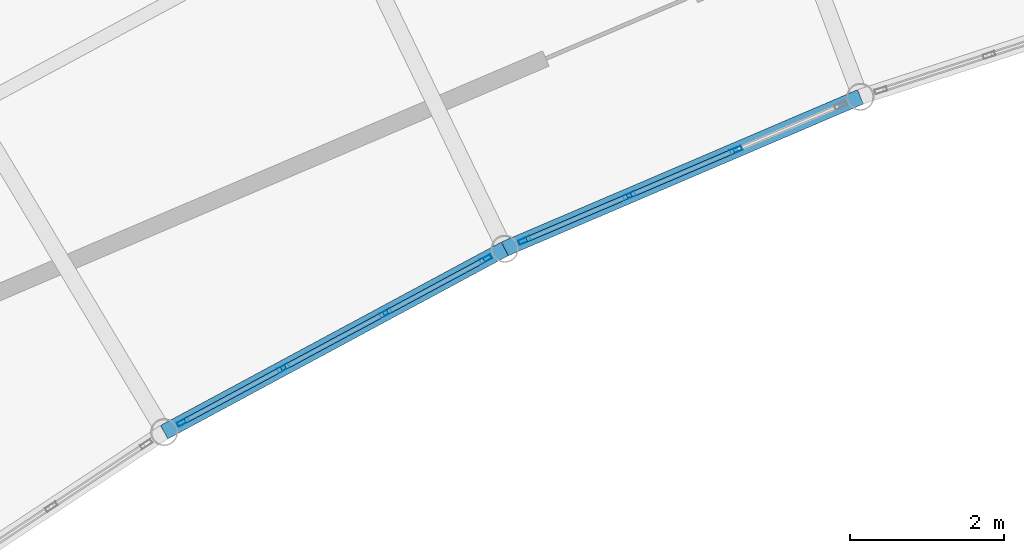
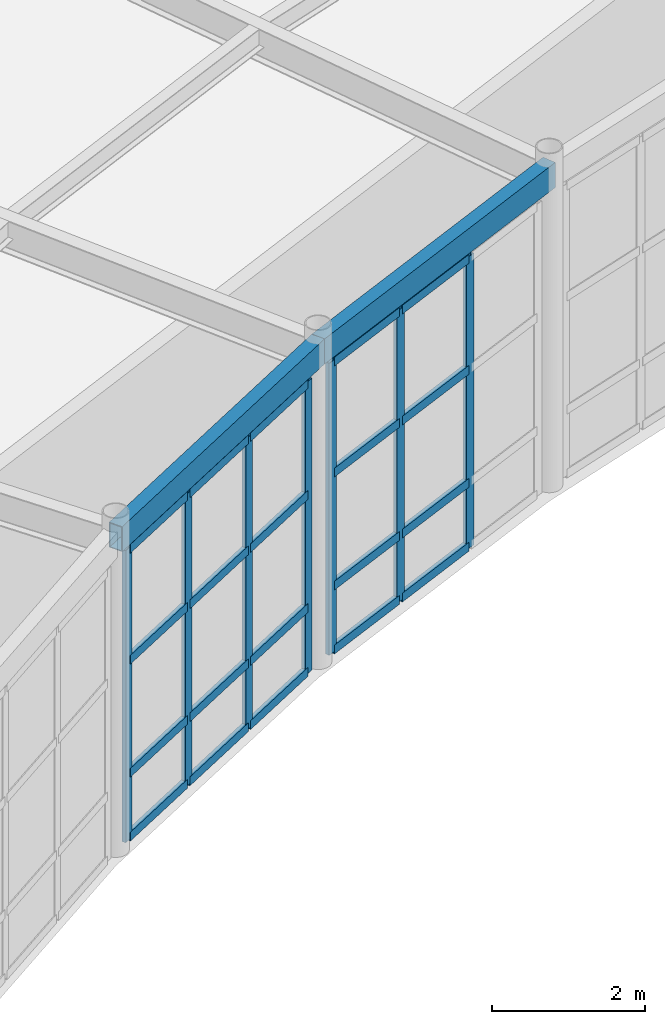
# One storey, part 44 of 87: 27 members, 2 beams, 2 elements without a shape of their own.
"""IFC4 building model written with IfcOpenShell, lengths in metres."""

import ifcopenshell
import ifcopenshell.guid

model = None  # the IFC model being written
_history = None  # IfcOwnerHistory: only IFC2X3 demands one
_inside = {}  # id of a spatial element -> (the spatial element, [elements in it])
_under = {}  # id of a project, library or spatial element -> (it, [spatial elements below it])
_declared = {}  # id of a project -> (the project, [libraries it declares])
_typed = {}  # id of a type object -> (the type object, [elements of that type])
_made_of = {}  # id of a material, layer set ... -> (it, [elements and type objects made of it])


def new_model(schema):
    """Start an empty IFC model of exactly this schema.

    Asked for "IFC4X3", IfcOpenShell would pick the latest addendum, in which some entities
    have other attributes; the version numbers below select the first issue.
    IFC2X3 requires an IfcOwnerHistory on every rooted entity: one is made here for all.
    """
    global model, _history
    if schema == "IFC4X3":
        model = ifcopenshell.file(schema_version=(4, 3, 0, 0))
    else:
        model = ifcopenshell.file(schema=schema)
    _inside.clear()
    _under.clear()
    _declared.clear()
    _typed.clear()
    _made_of.clear()
    _history = None
    if model.schema == "IFC2X3":
        org = make("IfcOrganization", Name="unknown")
        user = make(
            "IfcPersonAndOrganization",
            ThePerson=make("IfcPerson", FamilyName="unknown"),
            TheOrganization=org,
        )
        app = make(
            "IfcApplication",
            ApplicationDeveloper=org,
            Version="unknown",
            ApplicationFullName="unknown",
            ApplicationIdentifier="unknown",
        )
        _history = make(
            "IfcOwnerHistory",
            OwningUser=user,
            OwningApplication=app,
            ChangeAction="ADDED",
            CreationDate=0,
        )
    return model


def make(cls, **values):
    """One entity of the class cls with the attributes given. An attribute that is None is left unset."""
    return model.create_entity(
        cls, **{name: value for name, value in values.items() if value is not None}
    )


def rooted(cls, **values):
    """An entity with a GlobalId (a new one), such as an element, a storey or a relation."""
    return make(cls, GlobalId=ifcopenshell.guid.new(), OwnerHistory=_history, **values)


def si_unit(unit_type, name, prefix=None):
    """IfcSIUnit, for example si_unit("LENGTHUNIT", "METRE", prefix="MILLI")."""
    return make("IfcSIUnit", UnitType=unit_type, Prefix=prefix, Name=name)


def assignment(units):
    """IfcUnitAssignment: the units of a project."""
    return None if units is None else make("IfcUnitAssignment", Units=units)


def point(xyz):
    """IfcCartesianPoint."""
    return None if xyz is None else make("IfcCartesianPoint", Coordinates=xyz)


def direction(xyz):
    """IfcDirection."""
    return None if xyz is None else make("IfcDirection", DirectionRatios=xyz)


def frame(location, z_axis=None, x_axis=None):
    """IfcAxis2Placement3D, a coordinate frame: its origin and axes. An axis left out is left unset."""
    return make(
        "IfcAxis2Placement3D",
        Location=point(location),
        Axis=direction(z_axis),
        RefDirection=direction(x_axis),
    )


def frame_2d(location, x_axis=None):
    """IfcAxis2Placement2D, a coordinate frame in the plane: its origin and x axis."""
    return make(
        "IfcAxis2Placement2D", Location=point(location), RefDirection=direction(x_axis)
    )


def origin():
    """The frame at (0, 0, 0) with its axes left unset."""
    return frame((0.0, 0.0, 0.0))


def origin_2d():
    """The frame at (0, 0) in the plane with its x axis left unset."""
    return frame_2d((0.0, 0.0))


def place(relative_to, where):
    """IfcLocalPlacement: puts the frame where relative to a parent placement (None: the world)."""
    return make(
        "IfcLocalPlacement", PlacementRelTo=relative_to, RelativePlacement=where
    )


def context(
    kind, dimensions, precision=None, world=None, true_north=None, identifier=None
):
    """IfcGeometricRepresentationContext, for example the 3D "Model" context."""
    return make(
        "IfcGeometricRepresentationContext",
        ContextIdentifier=identifier,
        ContextType=kind,
        CoordinateSpaceDimension=dimensions,
        Precision=precision,
        WorldCoordinateSystem=world,
        TrueNorth=true_north,
    )


def subcontext(parent, identifier, kind, view, scale=None):
    """IfcGeometricRepresentationSubContext, for example "Body" below "Model"."""
    return make(
        "IfcGeometricRepresentationSubContext",
        ContextIdentifier=identifier,
        ContextType=kind,
        ParentContext=parent,
        TargetScale=scale,
        TargetView=view,
    )


def project(units=None, contexts=None):
    """IfcProject with its units and contexts."""
    return rooted(
        "IfcProject",
        Name="project",
        RepresentationContexts=contexts,
        UnitsInContext=assignment(units),
    )


def spatial(cls, under=None, at=None, **own):
    """A site, building, storey or space (cls), placed at a placement, below another one or the project."""
    s = rooted(cls, ObjectPlacement=at, **own)
    if under is not None:
        _under.setdefault(under.id(), (under, []))[1].append(s)
    return s


def profile(cls, at=None, kind="AREA", **sizes):
    """A parametric profile (cls). Its sizes go by their IFC names, for example OverallWidth=200.0."""
    return make(cls, ProfileType=kind, Position=at, **sizes)


def hollow_rectangle(**sizes):
    """IfcRectangleHollowProfileDef."""
    return profile("IfcRectangleHollowProfileDef", **sizes)


def extrude(swept, where, along, depth):
    """IfcExtrudedAreaSolid: the profile swept, set in the frame where, extruded along a direction by depth."""
    return make(
        "IfcExtrudedAreaSolid",
        SweptArea=swept,
        Position=where,
        ExtrudedDirection=direction(along),
        Depth=depth,
    )


def shape(context_of_items, identifier, shape_type, items):
    """IfcShapeRepresentation: the items that make up one representation, for example the "Body"."""
    return make(
        "IfcShapeRepresentation",
        ContextOfItems=context_of_items,
        RepresentationIdentifier=identifier,
        RepresentationType=shape_type,
        Items=items,
    )


def material(Name=None, Category=None):
    """IfcMaterial."""
    return make("IfcMaterial", Name=Name, Category=Category)


def layer(
    of_material, thickness, ventilated=None, Name=None, Category=None, Priority=None
):
    """IfcMaterialLayer: one layer of a wall or slab, of a material (None: an air gap)."""
    return make(
        "IfcMaterialLayer",
        Material=of_material,
        LayerThickness=thickness,
        IsVentilated=ventilated,
        Name=Name,
        Category=Category,
        Priority=Priority,
    )


def layer_set(layers, Name=None):
    """IfcMaterialLayerSet."""
    return make("IfcMaterialLayerSet", MaterialLayers=layers, LayerSetName=Name)


def material_profile(
    of_material, cross_section, Name=None, Category=None, Priority=None
):
    """IfcMaterialProfile: a cross section and its material."""
    return make(
        "IfcMaterialProfile",
        Name=Name,
        Material=of_material,
        Profile=cross_section,
        Priority=Priority,
        Category=Category,
    )


def profile_set(profiles, Name=None, composite=None):
    """IfcMaterialProfileSet."""
    return make(
        "IfcMaterialProfileSet",
        Name=Name,
        MaterialProfiles=profiles,
        CompositeProfile=composite,
    )


def made_of(thing, what):
    """Note that an element or type object is made of a material, layer set ...; save() writes the relation."""
    if what is not None:
        _made_of.setdefault(what.id(), (what, []))[1].append(thing)
    return thing


def type_object(cls, material=None, **own):
    """A type object (cls), such as IfcWallType, which elements share."""
    return made_of(rooted(cls, **own), material)


def element(
    cls,
    number,
    at=None,
    inside=None,
    cuts=None,
    type_object=None,
    material=None,
    context=None,
    identifier="Body",
    shape_type=None,
    held_by="IfcProductDefinitionShape",
    body=None,
    shapes=None,
    **own,
):
    """One element of the class cls, such as IfcWall. Its Tag is "e" and its number.

    at: its placement. inside: the storey or other place that contains it. cuts: it is an
    opening in that element (IfcRelVoidsElement). A single representation is given by context,
    identifier, shape_type and body (its items); several are given by shapes. held_by: the class
    of the entity that holds the representations. save() writes the other relations.
    """
    e = rooted(cls, Tag="e%d" % number, ObjectPlacement=at, **own)
    if body is not None:
        shapes = [shape(context, identifier, shape_type, body)]
    if shapes is not None:
        e.Representation = make(held_by, Representations=shapes)
    if inside is not None:
        _inside.setdefault(inside.id(), (inside, []))[1].append(e)
    if cuts is not None:
        rooted(
            "IfcRelVoidsElement", RelatingBuildingElement=cuts, RelatedOpeningElement=e
        )
    if type_object is not None:
        _typed.setdefault(type_object.id(), (type_object, []))[1].append(e)
    return made_of(e, material)


def aggregate(whole, parts):
    """IfcRelAggregates: a whole, such as a stair, and the parts it consists of."""
    return rooted("IfcRelAggregates", RelatingObject=whole, RelatedObjects=parts)


def save(model, path):
    """Write the relations noted so far, then the file.

    IfcRelAggregates (storeys below a building ...), IfcRelContainedInSpatialStructure (elements
    in a storey), IfcRelDefinesByType, IfcRelAssociatesMaterial and IfcRelDeclares: one each for
    every whole, place, type object, material and project.
    """
    for whole, parts in _under.values():
        aggregate(whole, parts)
    for where, things in _inside.values():
        rooted(
            "IfcRelContainedInSpatialStructure",
            RelatedElements=things,
            RelatingStructure=where,
        )
    for kind, things in _typed.values():
        rooted("IfcRelDefinesByType", RelatedObjects=things, RelatingType=kind)
    for what, things in _made_of.values():
        rooted("IfcRelAssociatesMaterial", RelatedObjects=things, RelatingMaterial=what)
    for by, libraries in _declared.values():
        rooted("IfcRelDeclares", RelatingContext=by, RelatedDefinitions=libraries)
    model.write(path)


model = new_model("IFC4")

# Units and contexts
model_context = context("Model", 3, precision=1e-05, world=origin(), true_north=direction((0.0, 1.0)))
body_context = subcontext(model_context, "Body", "Model", "MODEL_VIEW")
ifc_project = project(units=[si_unit("LENGTHUNIT", "METRE"), si_unit("AREAUNIT", "SQUARE_METRE"), si_unit("VOLUMEUNIT", "CUBIC_METRE"), si_unit("PLANEANGLEUNIT", "RADIAN"), si_unit("MASSUNIT", "GRAM", prefix="KILO")], contexts=[model_context])

# Site, building, storey
site_placement = place(None, origin())
site = spatial("IfcSite", under=ifc_project, at=site_placement, CompositionType="ELEMENT")
building_placement = place(site_placement, origin())
building = spatial("IfcBuilding", under=site, at=building_placement, Name="Selat Folded Stagehouse", CompositionType="ELEMENT")
storey_placement = place(building_placement, origin())
storey = spatial("IfcBuildingStorey", under=building, at=storey_placement, Name="L00", CompositionType="ELEMENT", Elevation=0.0)

# Curtain wall, members
ifc_material_1 = material(Name="Aluminium 6063-T6", Category="aluminium")
ifc_layer = layer(ifc_material_1, 0.18994140625)
ifc_layer_set = layer_set([ifc_layer], Name="Aluminium 6063-T6")
curtain_wall_type = type_object("IfcCurtainWallType", Name="CW-REH-ARC", PredefinedType="NOTDEFINED", material=ifc_layer_set)
curtain_wall_1_placement = place(storey_placement, origin())
curtain_wall_1 = element("IfcCurtainWall", 1, at=curtain_wall_1_placement, inside=storey, type_object=curtain_wall_type, Name="L00 curtain wall CW-REH-L00-01", PredefinedType="NOTDEFINED")
ifc_material_profile_1 = material_profile(ifc_material_1, hollow_rectangle(XDim=0.06005859375, YDim=0.159912109375, WallThickness=0.00390625, at=origin_2d()), Name="ALU 160x60x4.0")
ifc_profile_set_1 = profile_set([ifc_material_profile_1], Name="Aluminium 6063-T6")
member_type_1 = type_object("IfcMemberType", Name="CWM-MUL-160x60", PredefinedType="MULLION", material=ifc_profile_set_1)
member_1_placement = place(storey_placement, frame((67.85595703125, 88.321533203125, 0.0), z_axis=(0.0, 0.0, 1.0), x_axis=(0.473858636259, -0.880600927119, 0.0)))
member_1 = element("IfcMember", 2, at=member_1_placement, type_object=member_type_1, Name="CW-06 mullion 1", PredefinedType="MULLION", context=body_context, shape_type="SweptSolid", body=[
    extrude(hollow_rectangle(XDim=0.06005859375, YDim=0.159912109375, WallThickness=0.00390625, at=origin_2d()), origin(), (0.0, 0.0, 1.0), 4.64990234375),
])
member_2_placement = place(storey_placement, frame((66.55419921875, 87.62109375, 0.0), z_axis=(0.0, 0.0, 1.0), x_axis=(0.473858636259, -0.880600927119, 0.0)))
member_2 = element("IfcMember", 3, at=member_2_placement, type_object=member_type_1, Name="CW-06 mullion 2", PredefinedType="MULLION", context=body_context, shape_type="SweptSolid", body=[
    extrude(hollow_rectangle(XDim=0.06005859375, YDim=0.159912109375, WallThickness=0.00390625, at=origin_2d()), origin(), (0.0, 0.0, 1.0), 4.64990234375),
])
member_3_placement = place(storey_placement, frame((65.225830078125, 86.90625, 0.0), z_axis=(0.0, 0.0, 1.0), x_axis=(0.473858636259, -0.880600927119, 0.0)))
member_3 = element("IfcMember", 4, at=member_3_placement, type_object=member_type_1, Name="CW-06 mullion 3", PredefinedType="MULLION", context=body_context, shape_type="SweptSolid", body=[
    extrude(hollow_rectangle(XDim=0.06005859375, YDim=0.159912109375, WallThickness=0.00390625, at=origin_2d()), origin(), (0.0, 0.0, 1.0), 4.64990234375),
])
member_4_placement = place(storey_placement, frame((63.924072265625, 86.205810546875, 0.0), z_axis=(0.0, 0.0, 1.0), x_axis=(0.473858636259, -0.880600927119, 0.0)))
member_4 = element("IfcMember", 5, at=member_4_placement, type_object=member_type_1, Name="CW-06 mullion 4", PredefinedType="MULLION", context=body_context, shape_type="SweptSolid", body=[
    extrude(hollow_rectangle(XDim=0.06005859375, YDim=0.159912109375, WallThickness=0.00390625, at=origin_2d()), origin(), (0.0, 0.0, 1.0), 4.64990234375),
])

curtain_wall_2_placement = place(storey_placement, origin())
curtain_wall_2 = element("IfcCurtainWall", 6, at=curtain_wall_2_placement, inside=storey, type_object=curtain_wall_type, Name="L00 curtain wall CW-REH-L00-02", PredefinedType="NOTDEFINED")
member_5_placement = place(storey_placement, frame((71.106201171875, 89.738037109375, 0.0), z_axis=(0.0, 0.0, 1.0), x_axis=(0.393012226483, -0.919533245639, 0.0)))
member_5 = element("IfcMember", 7, at=member_5_placement, type_object=member_type_1, Name="CW-06 mullion 2", PredefinedType="MULLION", context=body_context, shape_type="SweptSolid", body=[
    extrude(hollow_rectangle(XDim=0.06005859375, YDim=0.159912109375, WallThickness=0.00390625, at=origin_2d()), origin(), (0.0, 0.0, 1.0), 4.64990234375),
])
member_6_placement = place(storey_placement, frame((69.71923828125, 89.145263671875, 0.0), z_axis=(0.0, 0.0, 1.0), x_axis=(0.393012226483, -0.919533245639, 0.0)))
member_6 = element("IfcMember", 8, at=member_6_placement, type_object=member_type_1, Name="CW-06 mullion 3", PredefinedType="MULLION", context=body_context, shape_type="SweptSolid", body=[
    extrude(hollow_rectangle(XDim=0.06005859375, YDim=0.159912109375, WallThickness=0.00390625, at=origin_2d()), origin(), (0.0, 0.0, 1.0), 4.64990234375),
])
member_7_placement = place(storey_placement, frame((68.360107421875, 88.564453125, 0.0), z_axis=(0.0, 0.0, 1.0), x_axis=(0.393012226483, -0.919533245639, 0.0)))
member_7 = element("IfcMember", 9, at=member_7_placement, type_object=member_type_1, Name="CW-06 mullion 4", PredefinedType="MULLION", context=body_context, shape_type="SweptSolid", body=[
    extrude(hollow_rectangle(XDim=0.06005859375, YDim=0.159912109375, WallThickness=0.00390625, at=origin_2d()), origin(), (0.0, 0.0, 1.0), 4.64990234375),
])

# Member
ifc_material_profile_2 = material_profile(ifc_material_1, hollow_rectangle(XDim=0.06494140625, YDim=0.139892578125, WallThickness=0.00390625, at=origin_2d()), Name="ALU 140x65x4.0")
ifc_profile_set_2 = profile_set([ifc_material_profile_2], Name="Aluminium 6063-T6")
member_type_2 = type_object("IfcMemberType", Name="CWM-TRN-140x65", PredefinedType="USERDEFINED", material=ifc_profile_set_2)
member_8_placement = place(storey_placement, frame((67.82958984375, 88.307373046875, 0.032470703125), z_axis=(-0.880598189077, -0.473863724497, 0.0), x_axis=(0.473863724497, -0.880598189077, 0.0)))
member_8 = element("IfcMember", 10, at=member_8_placement, type_object=member_type_2, Name="CW-06 transom 1.1", ObjectType="TRANSOM", PredefinedType="USERDEFINED", context=body_context, shape_type="SweptSolid", body=[
    extrude(hollow_rectangle(XDim=0.06494140625, YDim=0.139892578125, WallThickness=0.00390625, at=origin_2d()), origin(), (0.0, 0.0, 1.0), 1.41845703125),
])

member_9_placement = place(storey_placement, frame((67.82958984375, 88.307373046875, 1.050048828125), z_axis=(-0.880598189077, -0.473863724497, 0.0), x_axis=(0.473863724497, -0.880598189077, 0.0)))
member_9 = element("IfcMember", 11, at=member_9_placement, type_object=member_type_2, Name="CW-06 transom 1.2", ObjectType="TRANSOM", PredefinedType="USERDEFINED", context=body_context, shape_type="SweptSolid", body=[
    extrude(hollow_rectangle(XDim=0.06494140625, YDim=0.139892578125, WallThickness=0.00390625, at=origin_2d()), origin(), (0.0, 0.0, 1.0), 1.41845703125),
])

member_10_placement = place(storey_placement, frame((67.82958984375, 88.307373046875, 2.85009765625), z_axis=(-0.880598189077, -0.473863724497, 0.0), x_axis=(0.473863724497, -0.880598189077, 0.0)))
member_10 = element("IfcMember", 12, at=member_10_placement, type_object=member_type_2, Name="CW-06 transom 1.3", ObjectType="TRANSOM", PredefinedType="USERDEFINED", context=body_context, shape_type="SweptSolid", body=[
    extrude(hollow_rectangle(XDim=0.06494140625, YDim=0.139892578125, WallThickness=0.00390625, at=origin_2d()), origin(), (0.0, 0.0, 1.0), 1.41845703125),
])

member_11_placement = place(storey_placement, frame((67.82958984375, 88.307373046875, 4.617431640625), z_axis=(-0.880598189077, -0.473863724497, 0.0), x_axis=(0.473863724497, -0.880598189077, 0.0)))
member_11 = element("IfcMember", 13, at=member_11_placement, type_object=member_type_2, Name="CW-06 transom 1.4", ObjectType="TRANSOM", PredefinedType="USERDEFINED", context=body_context, shape_type="SweptSolid", body=[
    extrude(hollow_rectangle(XDim=0.06494140625, YDim=0.139892578125, WallThickness=0.00390625, at=origin_2d()), origin(), (0.0, 0.0, 1.0), 1.41845703125),
])

member_12_placement = place(storey_placement, frame((66.52783203125, 87.60693359375, 0.032470703125), z_axis=(-0.880606383505, -0.473848496178, 0.0), x_axis=(0.473848496178, -0.880606383505, 0.0)))
member_12 = element("IfcMember", 14, at=member_12_placement, type_object=member_type_2, Name="CW-06 transom 2.1", ObjectType="TRANSOM", PredefinedType="USERDEFINED", context=body_context, shape_type="SweptSolid", body=[
    extrude(hollow_rectangle(XDim=0.06494140625, YDim=0.139892578125, WallThickness=0.00390625, at=origin_2d()), origin(), (0.0, 0.0, 1.0), 1.4482421875),
])

member_13_placement = place(storey_placement, frame((66.52783203125, 87.60693359375, 1.050048828125), z_axis=(-0.880606383505, -0.473848496178, 0.0), x_axis=(0.473848496178, -0.880606383505, 0.0)))
member_13 = element("IfcMember", 15, at=member_13_placement, type_object=member_type_2, Name="CW-06 transom 2.2", ObjectType="TRANSOM", PredefinedType="USERDEFINED", context=body_context, shape_type="SweptSolid", body=[
    extrude(hollow_rectangle(XDim=0.06494140625, YDim=0.139892578125, WallThickness=0.00390625, at=origin_2d()), origin(), (0.0, 0.0, 1.0), 1.4482421875),
])

member_14_placement = place(storey_placement, frame((66.52783203125, 87.60693359375, 2.85009765625), z_axis=(-0.880606383505, -0.473848496178, 0.0), x_axis=(0.473848496178, -0.880606383505, 0.0)))
member_14 = element("IfcMember", 16, at=member_14_placement, type_object=member_type_2, Name="CW-06 transom 2.3", ObjectType="TRANSOM", PredefinedType="USERDEFINED", context=body_context, shape_type="SweptSolid", body=[
    extrude(hollow_rectangle(XDim=0.06494140625, YDim=0.139892578125, WallThickness=0.00390625, at=origin_2d()), origin(), (0.0, 0.0, 1.0), 1.4482421875),
])

member_15_placement = place(storey_placement, frame((66.52783203125, 87.60693359375, 4.617431640625), z_axis=(-0.880606383505, -0.473848496178, 0.0), x_axis=(0.473848496178, -0.880606383505, 0.0)))
member_15 = element("IfcMember", 17, at=member_15_placement, type_object=member_type_2, Name="CW-06 transom 2.4", ObjectType="TRANSOM", PredefinedType="USERDEFINED", context=body_context, shape_type="SweptSolid", body=[
    extrude(hollow_rectangle(XDim=0.06494140625, YDim=0.139892578125, WallThickness=0.00390625, at=origin_2d()), origin(), (0.0, 0.0, 1.0), 1.4482421875),
])

member_16_placement = place(storey_placement, frame((65.199462890625, 86.89208984375, 0.032470703125), z_axis=(-0.880598189077, -0.473863724497, 0.0), x_axis=(0.473863724497, -0.880598189077, 0.0)))
member_16 = element("IfcMember", 18, at=member_16_placement, type_object=member_type_2, Name="CW-06 transom 3.1", ObjectType="TRANSOM", PredefinedType="USERDEFINED", context=body_context, shape_type="SweptSolid", body=[
    extrude(hollow_rectangle(XDim=0.06494140625, YDim=0.139892578125, WallThickness=0.00390625, at=origin_2d()), origin(), (0.0, 0.0, 1.0), 1.41845703125),
])

member_17_placement = place(storey_placement, frame((65.199462890625, 86.89208984375, 1.050048828125), z_axis=(-0.880598189077, -0.473863724497, 0.0), x_axis=(0.473863724497, -0.880598189077, 0.0)))
member_17 = element("IfcMember", 19, at=member_17_placement, type_object=member_type_2, Name="CW-06 transom 3.2", ObjectType="TRANSOM", PredefinedType="USERDEFINED", context=body_context, shape_type="SweptSolid", body=[
    extrude(hollow_rectangle(XDim=0.06494140625, YDim=0.139892578125, WallThickness=0.00390625, at=origin_2d()), origin(), (0.0, 0.0, 1.0), 1.41845703125),
])

member_18_placement = place(storey_placement, frame((65.199462890625, 86.89208984375, 2.85009765625), z_axis=(-0.880598189077, -0.473863724497, 0.0), x_axis=(0.473863724497, -0.880598189077, 0.0)))
member_18 = element("IfcMember", 20, at=member_18_placement, type_object=member_type_2, Name="CW-06 transom 3.3", ObjectType="TRANSOM", PredefinedType="USERDEFINED", context=body_context, shape_type="SweptSolid", body=[
    extrude(hollow_rectangle(XDim=0.06494140625, YDim=0.139892578125, WallThickness=0.00390625, at=origin_2d()), origin(), (0.0, 0.0, 1.0), 1.41845703125),
])

member_19_placement = place(storey_placement, frame((65.199462890625, 86.89208984375, 4.617431640625), z_axis=(-0.880598189077, -0.473863724497, 0.0), x_axis=(0.473863724497, -0.880598189077, 0.0)))
member_19 = element("IfcMember", 21, at=member_19_placement, type_object=member_type_2, Name="CW-06 transom 3.4", ObjectType="TRANSOM", PredefinedType="USERDEFINED", context=body_context, shape_type="SweptSolid", body=[
    extrude(hollow_rectangle(XDim=0.06494140625, YDim=0.139892578125, WallThickness=0.00390625, at=origin_2d()), origin(), (0.0, 0.0, 1.0), 1.41845703125),
])

aggregate(curtain_wall_1, [member_1, member_2, member_3, member_4, member_8, member_9, member_10, member_11, member_12, member_13, member_14, member_15, member_16, member_17, member_18, member_19])

member_20_placement = place(storey_placement, frame((71.07861328125, 89.726318359375, 0.032470703125), z_axis=(-0.919563036089, -0.392942518263, 0.0), x_axis=(0.392942518263, -0.919563036089, 0.0)))
member_20 = element("IfcMember", 22, at=member_20_placement, type_object=member_type_2, Name="CW-06 transom 2.1", ObjectType="TRANSOM", PredefinedType="USERDEFINED", context=body_context, shape_type="SweptSolid", body=[
    extrude(hollow_rectangle(XDim=0.06494140625, YDim=0.139892578125, WallThickness=0.00390625, at=origin_2d()), origin(), (0.0, 0.0, 1.0), 1.4482421875),
])

member_21_placement = place(storey_placement, frame((71.07861328125, 89.726318359375, 1.050048828125), z_axis=(-0.919563036089, -0.392942518263, 0.0), x_axis=(0.392942518263, -0.919563036089, 0.0)))
member_21 = element("IfcMember", 23, at=member_21_placement, type_object=member_type_2, Name="CW-06 transom 2.2", ObjectType="TRANSOM", PredefinedType="USERDEFINED", context=body_context, shape_type="SweptSolid", body=[
    extrude(hollow_rectangle(XDim=0.06494140625, YDim=0.139892578125, WallThickness=0.00390625, at=origin_2d()), origin(), (0.0, 0.0, 1.0), 1.4482421875),
])

member_22_placement = place(storey_placement, frame((71.07861328125, 89.726318359375, 2.85009765625), z_axis=(-0.919563036089, -0.392942518263, 0.0), x_axis=(0.392942518263, -0.919563036089, 0.0)))
member_22 = element("IfcMember", 24, at=member_22_placement, type_object=member_type_2, Name="CW-06 transom 2.3", ObjectType="TRANSOM", PredefinedType="USERDEFINED", context=body_context, shape_type="SweptSolid", body=[
    extrude(hollow_rectangle(XDim=0.06494140625, YDim=0.139892578125, WallThickness=0.00390625, at=origin_2d()), origin(), (0.0, 0.0, 1.0), 1.4482421875),
])

member_23_placement = place(storey_placement, frame((71.07861328125, 89.726318359375, 4.617431640625), z_axis=(-0.919563036089, -0.392942518263, 0.0), x_axis=(0.392942518263, -0.919563036089, 0.0)))
member_23 = element("IfcMember", 25, at=member_23_placement, type_object=member_type_2, Name="CW-06 transom 2.4", ObjectType="TRANSOM", PredefinedType="USERDEFINED", context=body_context, shape_type="SweptSolid", body=[
    extrude(hollow_rectangle(XDim=0.06494140625, YDim=0.139892578125, WallThickness=0.00390625, at=origin_2d()), origin(), (0.0, 0.0, 1.0), 1.4482421875),
])

member_24_placement = place(storey_placement, frame((69.691650390625, 89.133544921875, 0.032470703125), z_axis=(-0.919545213655, -0.392984223657, 0.0), x_axis=(0.392984223657, -0.919545213655, 0.0)))
member_24 = element("IfcMember", 26, at=member_24_placement, type_object=member_type_2, Name="CW-06 transom 3.1", ObjectType="TRANSOM", PredefinedType="USERDEFINED", context=body_context, shape_type="SweptSolid", body=[
    extrude(hollow_rectangle(XDim=0.06494140625, YDim=0.139892578125, WallThickness=0.00390625, at=origin_2d()), origin(), (0.0, 0.0, 1.0), 1.418212890625),
])

member_25_placement = place(storey_placement, frame((69.691650390625, 89.133544921875, 1.050048828125), z_axis=(-0.919545213655, -0.392984223657, 0.0), x_axis=(0.392984223657, -0.919545213655, 0.0)))
member_25 = element("IfcMember", 27, at=member_25_placement, type_object=member_type_2, Name="CW-06 transom 3.2", ObjectType="TRANSOM", PredefinedType="USERDEFINED", context=body_context, shape_type="SweptSolid", body=[
    extrude(hollow_rectangle(XDim=0.06494140625, YDim=0.139892578125, WallThickness=0.00390625, at=origin_2d()), origin(), (0.0, 0.0, 1.0), 1.418212890625),
])

member_26_placement = place(storey_placement, frame((69.691650390625, 89.133544921875, 2.85009765625), z_axis=(-0.919545213655, -0.392984223657, 0.0), x_axis=(0.392984223657, -0.919545213655, 0.0)))
member_26 = element("IfcMember", 28, at=member_26_placement, type_object=member_type_2, Name="CW-06 transom 3.3", ObjectType="TRANSOM", PredefinedType="USERDEFINED", context=body_context, shape_type="SweptSolid", body=[
    extrude(hollow_rectangle(XDim=0.06494140625, YDim=0.139892578125, WallThickness=0.00390625, at=origin_2d()), origin(), (0.0, 0.0, 1.0), 1.418212890625),
])

member_27_placement = place(storey_placement, frame((69.691650390625, 89.133544921875, 4.617431640625), z_axis=(-0.919545213655, -0.392984223657, 0.0), x_axis=(0.392984223657, -0.919545213655, 0.0)))
member_27 = element("IfcMember", 29, at=member_27_placement, type_object=member_type_2, Name="CW-06 transom 3.4", ObjectType="TRANSOM", PredefinedType="USERDEFINED", context=body_context, shape_type="SweptSolid", body=[
    extrude(hollow_rectangle(XDim=0.06494140625, YDim=0.139892578125, WallThickness=0.00390625, at=origin_2d()), origin(), (0.0, 0.0, 1.0), 1.418212890625),
])

aggregate(curtain_wall_2, [member_5, member_6, member_7, member_20, member_21, member_22, member_23, member_24, member_25, member_26, member_27])

# Beams
ifc_material_2 = material(Name="Steel S355", Category="steel")
ifc_material_profile_3 = material_profile(ifc_material_2, hollow_rectangle(XDim=0.199951171875, YDim=0.39990234375, WallThickness=0.012451171875, at=origin_2d()), Name="RHS 400x200x12.5")
ifc_profile_set_3 = profile_set([ifc_material_profile_3], Name="Steel S355")
beam_type = type_object("IfcBeamType", Name="SPD-EXT-400x200", PredefinedType="SPANDREL", material=ifc_profile_set_3)
beam_1_placement = place(storey_placement, frame((63.677490234375, 86.072998046875, 4.97998046875), z_axis=(0.880584957194, 0.473888312964, 0.0), x_axis=(-0.473888312964, 0.880584957194, 0.0)))
element("IfcBeam", 30, at=beam_1_placement, inside=storey, type_object=beam_type, Name="L00 inner curved rehearsal spandrel 2", PredefinedType="SPANDREL", context=body_context, shape_type="SweptSolid", body=[
    extrude(hollow_rectangle(XDim=0.199951171875, YDim=0.39990234375, WallThickness=0.012451171875, at=origin_2d()), origin(), (0.0, 0.0, 1.0), 5.025146484375),
])
beam_2_placement = place(storey_placement, frame((68.1025390625, 88.454345703125, 4.97998046875), z_axis=(0.919526599499, 0.393027776135, 0.0), x_axis=(-0.393027776135, 0.919526599499, 0.0)))
element("IfcBeam", 31, at=beam_2_placement, inside=storey, type_object=beam_type, Name="L00 inner curved rehearsal spandrel 3", PredefinedType="SPANDREL", context=body_context, shape_type="SweptSolid", body=[
    extrude(hollow_rectangle(XDim=0.199951171875, YDim=0.39990234375, WallThickness=0.012451171875, at=origin_2d()), origin(), (0.0, 0.0, 1.0), 5.024658203125),
])

save(model, "model.ifc")
